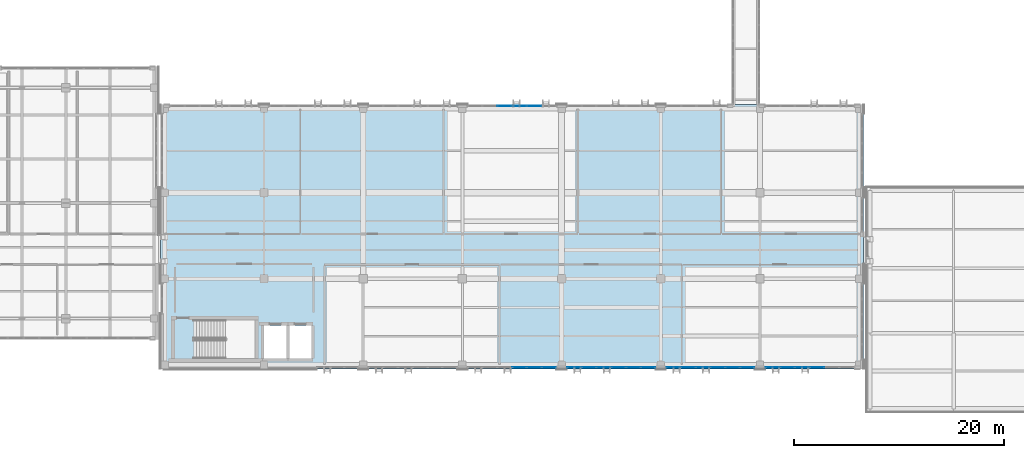
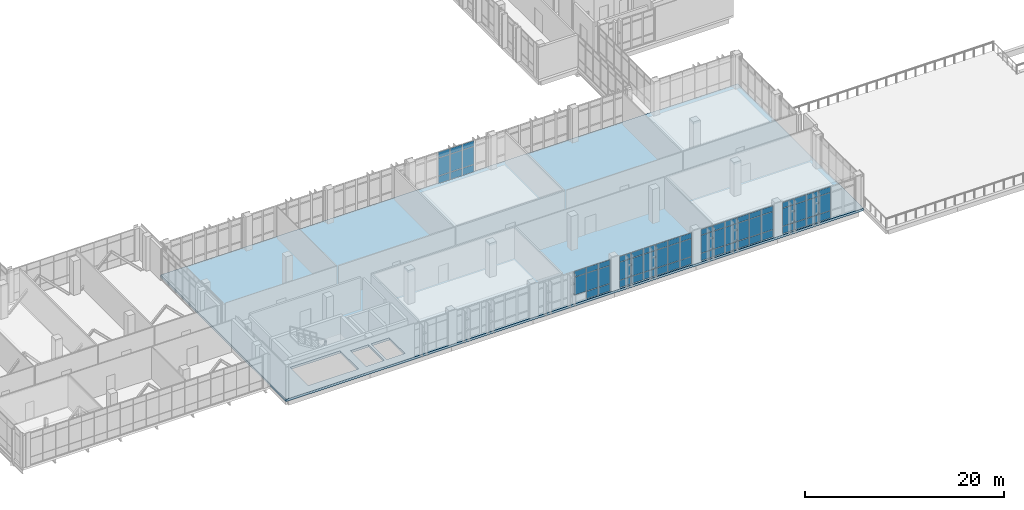
# One storey, part 118 of 165: 65 plates, 1 slab, 5 elements without a shape of their own.
"""IFC4 building model written with IfcOpenShell, lengths in metres."""

import ifcopenshell
import ifcopenshell.guid

model = None  # the IFC model being written
_history = None  # IfcOwnerHistory: only IFC2X3 demands one
_inside = {}  # id of a spatial element -> (the spatial element, [elements in it])
_under = {}  # id of a project, library or spatial element -> (it, [spatial elements below it])
_declared = {}  # id of a project -> (the project, [libraries it declares])
_typed = {}  # id of a type object -> (the type object, [elements of that type])
_made_of = {}  # id of a material, layer set ... -> (it, [elements and type objects made of it])


def new_model(schema):
    """Start an empty IFC model of exactly this schema.

    Asked for "IFC4X3", IfcOpenShell would pick the latest addendum, in which some entities
    have other attributes; the version numbers below select the first issue.
    IFC2X3 requires an IfcOwnerHistory on every rooted entity: one is made here for all.
    """
    global model, _history
    if schema == "IFC4X3":
        model = ifcopenshell.file(schema_version=(4, 3, 0, 0))
    else:
        model = ifcopenshell.file(schema=schema)
    _inside.clear()
    _under.clear()
    _declared.clear()
    _typed.clear()
    _made_of.clear()
    _history = None
    if model.schema == "IFC2X3":
        org = make("IfcOrganization", Name="unknown")
        user = make(
            "IfcPersonAndOrganization",
            ThePerson=make("IfcPerson", FamilyName="unknown"),
            TheOrganization=org,
        )
        app = make(
            "IfcApplication",
            ApplicationDeveloper=org,
            Version="unknown",
            ApplicationFullName="unknown",
            ApplicationIdentifier="unknown",
        )
        _history = make(
            "IfcOwnerHistory",
            OwningUser=user,
            OwningApplication=app,
            ChangeAction="ADDED",
            CreationDate=0,
        )
    return model


def make(cls, **values):
    """One entity of the class cls with the attributes given. An attribute that is None is left unset."""
    return model.create_entity(
        cls, **{name: value for name, value in values.items() if value is not None}
    )


def rooted(cls, **values):
    """An entity with a GlobalId (a new one), such as an element, a storey or a relation."""
    return make(cls, GlobalId=ifcopenshell.guid.new(), OwnerHistory=_history, **values)


def si_unit(unit_type, name, prefix=None):
    """IfcSIUnit, for example si_unit("LENGTHUNIT", "METRE", prefix="MILLI")."""
    return make("IfcSIUnit", UnitType=unit_type, Prefix=prefix, Name=name)


def assignment(units):
    """IfcUnitAssignment: the units of a project."""
    return None if units is None else make("IfcUnitAssignment", Units=units)


def point(xyz):
    """IfcCartesianPoint."""
    return None if xyz is None else make("IfcCartesianPoint", Coordinates=xyz)


def direction(xyz):
    """IfcDirection."""
    return None if xyz is None else make("IfcDirection", DirectionRatios=xyz)


def frame(location, z_axis=None, x_axis=None):
    """IfcAxis2Placement3D, a coordinate frame: its origin and axes. An axis left out is left unset."""
    return make(
        "IfcAxis2Placement3D",
        Location=point(location),
        Axis=direction(z_axis),
        RefDirection=direction(x_axis),
    )


def frame_2d(location, x_axis=None):
    """IfcAxis2Placement2D, a coordinate frame in the plane: its origin and x axis."""
    return make(
        "IfcAxis2Placement2D", Location=point(location), RefDirection=direction(x_axis)
    )


def origin():
    """The frame at (0, 0, 0) with its axes left unset."""
    return frame((0.0, 0.0, 0.0))


def origin_2d():
    """The frame at (0, 0) in the plane with its x axis left unset."""
    return frame_2d((0.0, 0.0))


def place(relative_to, where):
    """IfcLocalPlacement: puts the frame where relative to a parent placement (None: the world)."""
    return make(
        "IfcLocalPlacement", PlacementRelTo=relative_to, RelativePlacement=where
    )


def context(
    kind, dimensions, precision=None, world=None, true_north=None, identifier=None
):
    """IfcGeometricRepresentationContext, for example the 3D "Model" context."""
    return make(
        "IfcGeometricRepresentationContext",
        ContextIdentifier=identifier,
        ContextType=kind,
        CoordinateSpaceDimension=dimensions,
        Precision=precision,
        WorldCoordinateSystem=world,
        TrueNorth=true_north,
    )


def subcontext(parent, identifier, kind, view, scale=None):
    """IfcGeometricRepresentationSubContext, for example "Body" below "Model"."""
    return make(
        "IfcGeometricRepresentationSubContext",
        ContextIdentifier=identifier,
        ContextType=kind,
        ParentContext=parent,
        TargetScale=scale,
        TargetView=view,
    )


def project(units=None, contexts=None):
    """IfcProject with its units and contexts."""
    return rooted(
        "IfcProject",
        Name="project",
        RepresentationContexts=contexts,
        UnitsInContext=assignment(units),
    )


def spatial(cls, under=None, at=None, **own):
    """A site, building, storey or space (cls), placed at a placement, below another one or the project."""
    s = rooted(cls, ObjectPlacement=at, **own)
    if under is not None:
        _under.setdefault(under.id(), (under, []))[1].append(s)
    return s


def polyline(points):
    """IfcPolyline through the points."""
    return make("IfcPolyline", Points=[point(p) for p in points])


def profile(cls, at=None, kind="AREA", **sizes):
    """A parametric profile (cls). Its sizes go by their IFC names, for example OverallWidth=200.0."""
    return make(cls, ProfileType=kind, Position=at, **sizes)


def rectangle(**sizes):
    """IfcRectangleProfileDef."""
    return profile("IfcRectangleProfileDef", **sizes)


def outline(outer, holes=None, kind="AREA"):
    """IfcArbitraryClosedProfileDef: a profile drawn as a closed curve; with holes, ...WithVoids."""
    if holes is None:
        return make("IfcArbitraryClosedProfileDef", ProfileType=kind, OuterCurve=outer)
    return make(
        "IfcArbitraryProfileDefWithVoids",
        ProfileType=kind,
        OuterCurve=outer,
        InnerCurves=holes,
    )


def extrude(swept, where, along, depth):
    """IfcExtrudedAreaSolid: the profile swept, set in the frame where, extruded along a direction by depth."""
    return make(
        "IfcExtrudedAreaSolid",
        SweptArea=swept,
        Position=where,
        ExtrudedDirection=direction(along),
        Depth=depth,
    )


def shape(context_of_items, identifier, shape_type, items):
    """IfcShapeRepresentation: the items that make up one representation, for example the "Body"."""
    return make(
        "IfcShapeRepresentation",
        ContextOfItems=context_of_items,
        RepresentationIdentifier=identifier,
        RepresentationType=shape_type,
        Items=items,
    )


def material(Name=None, Category=None):
    """IfcMaterial."""
    return make("IfcMaterial", Name=Name, Category=Category)


def layer(
    of_material, thickness, ventilated=None, Name=None, Category=None, Priority=None
):
    """IfcMaterialLayer: one layer of a wall or slab, of a material (None: an air gap)."""
    return make(
        "IfcMaterialLayer",
        Material=of_material,
        LayerThickness=thickness,
        IsVentilated=ventilated,
        Name=Name,
        Category=Category,
        Priority=Priority,
    )


def layer_set(layers, Name=None):
    """IfcMaterialLayerSet."""
    return make("IfcMaterialLayerSet", MaterialLayers=layers, LayerSetName=Name)


def made_of(thing, what):
    """Note that an element or type object is made of a material, layer set ...; save() writes the relation."""
    if what is not None:
        _made_of.setdefault(what.id(), (what, []))[1].append(thing)
    return thing


def type_object(cls, material=None, **own):
    """A type object (cls), such as IfcWallType, which elements share."""
    return made_of(rooted(cls, **own), material)


def element(
    cls,
    number,
    at=None,
    inside=None,
    cuts=None,
    type_object=None,
    material=None,
    context=None,
    identifier="Body",
    shape_type=None,
    held_by="IfcProductDefinitionShape",
    body=None,
    shapes=None,
    **own,
):
    """One element of the class cls, such as IfcWall. Its Tag is "e" and its number.

    at: its placement. inside: the storey or other place that contains it. cuts: it is an
    opening in that element (IfcRelVoidsElement). A single representation is given by context,
    identifier, shape_type and body (its items); several are given by shapes. held_by: the class
    of the entity that holds the representations. save() writes the other relations.
    """
    e = rooted(cls, Tag="e%d" % number, ObjectPlacement=at, **own)
    if body is not None:
        shapes = [shape(context, identifier, shape_type, body)]
    if shapes is not None:
        e.Representation = make(held_by, Representations=shapes)
    if inside is not None:
        _inside.setdefault(inside.id(), (inside, []))[1].append(e)
    if cuts is not None:
        rooted(
            "IfcRelVoidsElement", RelatingBuildingElement=cuts, RelatedOpeningElement=e
        )
    if type_object is not None:
        _typed.setdefault(type_object.id(), (type_object, []))[1].append(e)
    return made_of(e, material)


def aggregate(whole, parts):
    """IfcRelAggregates: a whole, such as a stair, and the parts it consists of."""
    return rooted("IfcRelAggregates", RelatingObject=whole, RelatedObjects=parts)


def save(model, path):
    """Write the relations noted so far, then the file.

    IfcRelAggregates (storeys below a building ...), IfcRelContainedInSpatialStructure (elements
    in a storey), IfcRelDefinesByType, IfcRelAssociatesMaterial and IfcRelDeclares: one each for
    every whole, place, type object, material and project.
    """
    for whole, parts in _under.values():
        aggregate(whole, parts)
    for where, things in _inside.values():
        rooted(
            "IfcRelContainedInSpatialStructure",
            RelatedElements=things,
            RelatingStructure=where,
        )
    for kind, things in _typed.values():
        rooted("IfcRelDefinesByType", RelatedObjects=things, RelatingType=kind)
    for what, things in _made_of.values():
        rooted("IfcRelAssociatesMaterial", RelatedObjects=things, RelatingMaterial=what)
    for by, libraries in _declared.values():
        rooted("IfcRelDeclares", RelatingContext=by, RelatedDefinitions=libraries)
    model.write(path)


model = new_model("IFC4")

# Units and contexts
model_context = context("Model", 3, precision=1e-05, world=origin(), true_north=direction((0.0, 1.0)))
body_context = subcontext(model_context, "Body", "Model", "MODEL_VIEW")
ifc_project = project(units=[si_unit("LENGTHUNIT", "METRE"), si_unit("AREAUNIT", "SQUARE_METRE"), si_unit("VOLUMEUNIT", "CUBIC_METRE"), si_unit("PLANEANGLEUNIT", "RADIAN"), si_unit("MASSUNIT", "GRAM", prefix="KILO")], contexts=[model_context])

# Site, building, storey
site_placement = place(None, origin())
site = spatial("IfcSite", under=ifc_project, at=site_placement, CompositionType="ELEMENT")
building_placement = place(site_placement, origin())
building = spatial("IfcBuilding", under=site, at=building_placement, Name="Qalavern Law Courts", CompositionType="ELEMENT")
storey_placement = place(building_placement, frame((0.0, 0.0, 14.39990234375)))
storey = spatial("IfcBuildingStorey", under=building, at=storey_placement, Name="L03", CompositionType="ELEMENT", Elevation=14.39990234375)

# Curtain wall, plates
ifc_material_1 = material(Name="Anodised aluminium and insulated glazing", Category="aluminium")
ifc_layer_1 = layer(ifc_material_1, 0.18505859375)
ifc_layer_set_1 = layer_set([ifc_layer_1], Name="Anodised aluminium and insulated glazing")
curtain_wall_type = type_object("IfcCurtainWallType", Name="ENV-CW-HALL", PredefinedType="USERDEFINED", material=ifc_layer_set_1)
curtain_wall_1_placement = place(storey_placement, origin())
curtain_wall_1 = element("IfcCurtainWall", 1, at=curtain_wall_1_placement, inside=storey, type_object=curtain_wall_type, Name="V2 unitised curtain wall L03 south 3", ObjectType="UNITISED CURTAIN WALL", PredefinedType="USERDEFINED")
ifc_material_2 = material(Name="Insulated low-E acoustic glazing", Category="glass")
ifc_layer_2 = layer(ifc_material_2, 0.028076171875)
ifc_layer_set_2 = layer_set([ifc_layer_2], Name="Insulated low-E acoustic glazing")
plate_type_1 = type_object("IfcPlateType", Name="ENV-CWP-28", PredefinedType="CURTAIN_PANEL", material=ifc_layer_set_2)
plate_1_placement = place(storey_placement, frame((68.41455078125, 5.347412109375, 0.97412109375), z_axis=(0.0, 0.0, 1.0), x_axis=(1.0, 0.0, 0.0)))
plate_1 = element("IfcPlate", 2, at=plate_1_placement, type_object=plate_type_1, Name="CW-02 panel 4.2", PredefinedType="CURTAIN_PANEL", context=body_context, shape_type="SweptSolid", body=[
    extrude(rectangle(XDim=1.361083984375, YDim=0.028076171875, at=origin_2d()), origin(), (0.0, 0.0, 1.0), 2.172119140625),
])
plate_2_placement = place(storey_placement, frame((68.41455078125, 5.347412109375, 3.1943359375), z_axis=(0.0, 0.0, 1.0), x_axis=(1.0, 0.0, 0.0)))
plate_2 = element("IfcPlate", 3, at=plate_2_placement, type_object=plate_type_1, Name="CW-02 panel 4.3", PredefinedType="CURTAIN_PANEL", context=body_context, shape_type="SweptSolid", body=[
    extrude(rectangle(XDim=1.361083984375, YDim=0.028076171875, at=origin_2d()), origin(), (0.0, 0.0, 1.0), 0.677978515625),
])
plate_3_placement = place(storey_placement, frame((69.823486328125, 5.347412109375, 0.048095703125), z_axis=(0.0, 0.0, 1.0), x_axis=(1.0, 0.0, 0.0)))
plate_3 = element("IfcPlate", 4, at=plate_3_placement, type_object=plate_type_1, Name="CW-02 panel 5.1", PredefinedType="CURTAIN_PANEL", context=body_context, shape_type="SweptSolid", body=[
    extrude(rectangle(XDim=1.361083984375, YDim=0.028076171875, at=origin_2d()), origin(), (0.0, 0.0, 1.0), 0.8779296875),
])
plate_4_placement = place(storey_placement, frame((69.823486328125, 5.347412109375, 0.97412109375), z_axis=(0.0, 0.0, 1.0), x_axis=(1.0, 0.0, 0.0)))
plate_4 = element("IfcPlate", 5, at=plate_4_placement, type_object=plate_type_1, Name="CW-02 panel 5.2", PredefinedType="CURTAIN_PANEL", context=body_context, shape_type="SweptSolid", body=[
    extrude(rectangle(XDim=1.361083984375, YDim=0.028076171875, at=origin_2d()), origin(), (0.0, 0.0, 1.0), 2.172119140625),
])
plate_5_placement = place(storey_placement, frame((69.823486328125, 5.347412109375, 3.1943359375), z_axis=(0.0, 0.0, 1.0), x_axis=(1.0, 0.0, 0.0)))
plate_5 = element("IfcPlate", 6, at=plate_5_placement, type_object=plate_type_1, Name="CW-02 panel 5.3", PredefinedType="CURTAIN_PANEL", context=body_context, shape_type="SweptSolid", body=[
    extrude(rectangle(XDim=1.361083984375, YDim=0.028076171875, at=origin_2d()), origin(), (0.0, 0.0, 1.0), 0.677978515625),
])
plate_6_placement = place(storey_placement, frame((71.220703125, 5.347412109375, 0.048095703125), z_axis=(0.0, 0.0, 1.0), x_axis=(1.0, 0.0, 0.0)))
plate_6 = element("IfcPlate", 7, at=plate_6_placement, type_object=plate_type_1, Name="CW-02 panel 6.1", PredefinedType="CURTAIN_PANEL", context=body_context, shape_type="SweptSolid", body=[
    extrude(rectangle(XDim=1.3369140625, YDim=0.028076171875, at=origin_2d()), origin(), (0.0, 0.0, 1.0), 0.8779296875),
])
plate_7_placement = place(storey_placement, frame((71.220703125, 5.347412109375, 0.97412109375), z_axis=(0.0, 0.0, 1.0), x_axis=(1.0, 0.0, 0.0)))
plate_7 = element("IfcPlate", 8, at=plate_7_placement, type_object=plate_type_1, Name="CW-02 panel 6.2", PredefinedType="CURTAIN_PANEL", context=body_context, shape_type="SweptSolid", body=[
    extrude(rectangle(XDim=1.3369140625, YDim=0.028076171875, at=origin_2d()), origin(), (0.0, 0.0, 1.0), 2.172119140625),
])
plate_8_placement = place(storey_placement, frame((71.220703125, 5.347412109375, 3.1943359375), z_axis=(0.0, 0.0, 1.0), x_axis=(1.0, 0.0, 0.0)))
plate_8 = element("IfcPlate", 9, at=plate_8_placement, type_object=plate_type_1, Name="CW-02 panel 6.3", PredefinedType="CURTAIN_PANEL", context=body_context, shape_type="SweptSolid", body=[
    extrude(rectangle(XDim=1.3369140625, YDim=0.028076171875, at=origin_2d()), origin(), (0.0, 0.0, 1.0), 0.677978515625),
])
aggregate(curtain_wall_1, [plate_1, plate_2, plate_3, plate_4, plate_5, plate_6, plate_7, plate_8])

curtain_wall_2_placement = place(storey_placement, origin())
curtain_wall_2 = element("IfcCurtainWall", 10, at=curtain_wall_2_placement, inside=storey, type_object=curtain_wall_type, Name="V2 unitised curtain wall L03 south 4", ObjectType="UNITISED CURTAIN WALL", PredefinedType="USERDEFINED")
ifc_layer_3 = layer(ifc_material_2, 0.031982421875)
ifc_layer_set_3 = layer_set([ifc_layer_3], Name="Insulated low-E acoustic glazing")
plate_type_2 = type_object("IfcPlateType", Name="ENV-CWP-32", PredefinedType="CURTAIN_PANEL", material=ifc_layer_set_3)
plate_9_placement = place(storey_placement, frame((73.653564453125, 5.347412109375, 0.048095703125), z_axis=(0.0, 0.0, 1.0), x_axis=(1.0, 0.0, 0.0)))
plate_9 = element("IfcPlate", 11, at=plate_9_placement, type_object=plate_type_2, Name="CW-02 panel 1.1", PredefinedType="CURTAIN_PANEL", context=body_context, shape_type="SweptSolid", body=[
    extrude(rectangle(XDim=1.337158203125, YDim=0.031982421875, at=origin_2d()), origin(), (0.0, 0.0, 1.0), 0.8779296875),
])
plate_10_placement = place(storey_placement, frame((73.653564453125, 5.347412109375, 0.97412109375), z_axis=(0.0, 0.0, 1.0), x_axis=(1.0, 0.0, 0.0)))
plate_10 = element("IfcPlate", 12, at=plate_10_placement, type_object=plate_type_2, Name="CW-02 panel 1.2", PredefinedType="CURTAIN_PANEL", context=body_context, shape_type="SweptSolid", body=[
    extrude(rectangle(XDim=1.337158203125, YDim=0.031982421875, at=origin_2d()), origin(), (0.0, 0.0, 1.0), 2.172119140625),
])
plate_11_placement = place(storey_placement, frame((73.653564453125, 5.347412109375, 3.1943359375), z_axis=(0.0, 0.0, 1.0), x_axis=(1.0, 0.0, 0.0)))
plate_11 = element("IfcPlate", 13, at=plate_11_placement, type_object=plate_type_2, Name="CW-02 panel 1.3", PredefinedType="CURTAIN_PANEL", context=body_context, shape_type="SweptSolid", body=[
    extrude(rectangle(XDim=1.337158203125, YDim=0.031982421875, at=origin_2d()), origin(), (0.0, 0.0, 1.0), 0.677978515625),
])
plate_12_placement = place(storey_placement, frame((75.05078125, 5.347412109375, 0.048095703125), z_axis=(0.0, 0.0, 1.0), x_axis=(1.0, 0.0, 0.0)))
plate_12 = element("IfcPlate", 14, at=plate_12_placement, type_object=plate_type_2, Name="CW-02 panel 2.1", PredefinedType="CURTAIN_PANEL", context=body_context, shape_type="SweptSolid", body=[
    extrude(rectangle(XDim=1.361083984375, YDim=0.031982421875, at=origin_2d()), origin(), (0.0, 0.0, 1.0), 0.8779296875),
])
plate_13_placement = place(storey_placement, frame((75.05078125, 5.347412109375, 0.97412109375), z_axis=(0.0, 0.0, 1.0), x_axis=(1.0, 0.0, 0.0)))
plate_13 = element("IfcPlate", 15, at=plate_13_placement, type_object=plate_type_2, Name="CW-02 panel 2.2", PredefinedType="CURTAIN_PANEL", context=body_context, shape_type="SweptSolid", body=[
    extrude(rectangle(XDim=1.361083984375, YDim=0.031982421875, at=origin_2d()), origin(), (0.0, 0.0, 1.0), 2.172119140625),
])
plate_14_placement = place(storey_placement, frame((75.05078125, 5.347412109375, 3.1943359375), z_axis=(0.0, 0.0, 1.0), x_axis=(1.0, 0.0, 0.0)))
plate_14 = element("IfcPlate", 16, at=plate_14_placement, type_object=plate_type_2, Name="CW-02 panel 2.3", PredefinedType="CURTAIN_PANEL", context=body_context, shape_type="SweptSolid", body=[
    extrude(rectangle(XDim=1.361083984375, YDim=0.031982421875, at=origin_2d()), origin(), (0.0, 0.0, 1.0), 0.677978515625),
])
plate_15_placement = place(storey_placement, frame((76.459716796875, 5.347412109375, 0.048095703125), z_axis=(0.0, 0.0, 1.0), x_axis=(1.0, 0.0, 0.0)))
plate_15 = element("IfcPlate", 17, at=plate_15_placement, type_object=plate_type_2, Name="CW-02 panel 3.1", PredefinedType="CURTAIN_PANEL", context=body_context, shape_type="SweptSolid", body=[
    extrude(rectangle(XDim=1.361083984375, YDim=0.031982421875, at=origin_2d()), origin(), (0.0, 0.0, 1.0), 0.8779296875),
])
plate_16_placement = place(storey_placement, frame((76.459716796875, 5.347412109375, 0.97412109375), z_axis=(0.0, 0.0, 1.0), x_axis=(1.0, 0.0, 0.0)))
plate_16 = element("IfcPlate", 18, at=plate_16_placement, type_object=plate_type_2, Name="CW-02 panel 3.2", PredefinedType="CURTAIN_PANEL", context=body_context, shape_type="SweptSolid", body=[
    extrude(rectangle(XDim=1.361083984375, YDim=0.031982421875, at=origin_2d()), origin(), (0.0, 0.0, 1.0), 2.172119140625),
])
plate_17_placement = place(storey_placement, frame((76.459716796875, 5.347412109375, 3.1943359375), z_axis=(0.0, 0.0, 1.0), x_axis=(1.0, 0.0, 0.0)))
plate_17 = element("IfcPlate", 19, at=plate_17_placement, type_object=plate_type_2, Name="CW-02 panel 3.3", PredefinedType="CURTAIN_PANEL", context=body_context, shape_type="SweptSolid", body=[
    extrude(rectangle(XDim=1.361083984375, YDim=0.031982421875, at=origin_2d()), origin(), (0.0, 0.0, 1.0), 0.677978515625),
])
plate_18_placement = place(storey_placement, frame((77.868896484375, 5.347412109375, 0.048095703125), z_axis=(0.0, 0.0, 1.0), x_axis=(1.0, 0.0, 0.0)))
plate_18 = element("IfcPlate", 20, at=plate_18_placement, type_object=plate_type_2, Name="CW-02 panel 4.1", PredefinedType="CURTAIN_PANEL", context=body_context, shape_type="SweptSolid", body=[
    extrude(rectangle(XDim=1.361083984375, YDim=0.031982421875, at=origin_2d()), origin(), (0.0, 0.0, 1.0), 0.8779296875),
])
plate_19_placement = place(storey_placement, frame((77.868896484375, 5.347412109375, 0.97412109375), z_axis=(0.0, 0.0, 1.0), x_axis=(1.0, 0.0, 0.0)))
plate_19 = element("IfcPlate", 21, at=plate_19_placement, type_object=plate_type_2, Name="CW-02 panel 4.2", PredefinedType="CURTAIN_PANEL", context=body_context, shape_type="SweptSolid", body=[
    extrude(rectangle(XDim=1.361083984375, YDim=0.031982421875, at=origin_2d()), origin(), (0.0, 0.0, 1.0), 2.172119140625),
])
plate_20_placement = place(storey_placement, frame((77.868896484375, 5.347412109375, 3.1943359375), z_axis=(0.0, 0.0, 1.0), x_axis=(1.0, 0.0, 0.0)))
plate_20 = element("IfcPlate", 22, at=plate_20_placement, type_object=plate_type_2, Name="CW-02 panel 4.3", PredefinedType="CURTAIN_PANEL", context=body_context, shape_type="SweptSolid", body=[
    extrude(rectangle(XDim=1.361083984375, YDim=0.031982421875, at=origin_2d()), origin(), (0.0, 0.0, 1.0), 0.677978515625),
])
plate_21_placement = place(storey_placement, frame((79.27783203125, 5.347412109375, 0.048095703125), z_axis=(0.0, 0.0, 1.0), x_axis=(1.0, 0.0, 0.0)))
plate_21 = element("IfcPlate", 23, at=plate_21_placement, type_object=plate_type_2, Name="CW-02 panel 5.1", PredefinedType="CURTAIN_PANEL", context=body_context, shape_type="SweptSolid", body=[
    extrude(rectangle(XDim=1.361083984375, YDim=0.031982421875, at=origin_2d()), origin(), (0.0, 0.0, 1.0), 0.8779296875),
])
plate_22_placement = place(storey_placement, frame((79.27783203125, 5.347412109375, 0.97412109375), z_axis=(0.0, 0.0, 1.0), x_axis=(1.0, 0.0, 0.0)))
plate_22 = element("IfcPlate", 24, at=plate_22_placement, type_object=plate_type_2, Name="CW-02 panel 5.2", PredefinedType="CURTAIN_PANEL", context=body_context, shape_type="SweptSolid", body=[
    extrude(rectangle(XDim=1.361083984375, YDim=0.031982421875, at=origin_2d()), origin(), (0.0, 0.0, 1.0), 2.172119140625),
])
plate_23_placement = place(storey_placement, frame((79.27783203125, 5.347412109375, 3.1943359375), z_axis=(0.0, 0.0, 1.0), x_axis=(1.0, 0.0, 0.0)))
plate_23 = element("IfcPlate", 25, at=plate_23_placement, type_object=plate_type_2, Name="CW-02 panel 5.3", PredefinedType="CURTAIN_PANEL", context=body_context, shape_type="SweptSolid", body=[
    extrude(rectangle(XDim=1.361083984375, YDim=0.031982421875, at=origin_2d()), origin(), (0.0, 0.0, 1.0), 0.677978515625),
])
plate_24_placement = place(storey_placement, frame((80.6748046875, 5.347412109375, 0.048095703125), z_axis=(0.0, 0.0, 1.0), x_axis=(1.0, 0.0, 0.0)))
plate_24 = element("IfcPlate", 26, at=plate_24_placement, type_object=plate_type_2, Name="CW-02 panel 6.1", PredefinedType="CURTAIN_PANEL", context=body_context, shape_type="SweptSolid", body=[
    extrude(rectangle(XDim=1.337158203125, YDim=0.031982421875, at=origin_2d()), origin(), (0.0, 0.0, 1.0), 0.8779296875),
])
plate_25_placement = place(storey_placement, frame((80.6748046875, 5.347412109375, 0.97412109375), z_axis=(0.0, 0.0, 1.0), x_axis=(1.0, 0.0, 0.0)))
plate_25 = element("IfcPlate", 27, at=plate_25_placement, type_object=plate_type_2, Name="CW-02 panel 6.2", PredefinedType="CURTAIN_PANEL", context=body_context, shape_type="SweptSolid", body=[
    extrude(rectangle(XDim=1.337158203125, YDim=0.031982421875, at=origin_2d()), origin(), (0.0, 0.0, 1.0), 2.172119140625),
])
plate_26_placement = place(storey_placement, frame((80.6748046875, 5.347412109375, 3.1943359375), z_axis=(0.0, 0.0, 1.0), x_axis=(1.0, 0.0, 0.0)))
plate_26 = element("IfcPlate", 28, at=plate_26_placement, type_object=plate_type_2, Name="CW-02 panel 6.3", PredefinedType="CURTAIN_PANEL", context=body_context, shape_type="SweptSolid", body=[
    extrude(rectangle(XDim=1.337158203125, YDim=0.031982421875, at=origin_2d()), origin(), (0.0, 0.0, 1.0), 0.677978515625),
])
aggregate(curtain_wall_2, [plate_9, plate_10, plate_11, plate_12, plate_13, plate_14, plate_15, plate_16, plate_17, plate_18, plate_19, plate_20, plate_21, plate_22, plate_23, plate_24, plate_25, plate_26])

curtain_wall_3_placement = place(storey_placement, origin())
curtain_wall_3 = element("IfcCurtainWall", 29, at=curtain_wall_3_placement, inside=storey, type_object=curtain_wall_type, Name="V2 unitised curtain wall L03 north 3", ObjectType="UNITISED CURTAIN WALL", PredefinedType="USERDEFINED")
plate_27_placement = place(storey_placement, frame((69.823486328125, 30.25244140625, 0.048095703125), z_axis=(0.0, 0.0, 1.0), x_axis=(-1.0, 0.0, 0.0)))
plate_27 = element("IfcPlate", 30, at=plate_27_placement, type_object=plate_type_2, Name="CW-02 panel 2.1", PredefinedType="CURTAIN_PANEL", context=body_context, shape_type="SweptSolid", body=[
    extrude(rectangle(XDim=1.361083984375, YDim=0.031982421875, at=origin_2d()), origin(), (0.0, 0.0, 1.0), 0.8779296875),
])
plate_28_placement = place(storey_placement, frame((69.823486328125, 30.25244140625, 0.97412109375), z_axis=(0.0, 0.0, 1.0), x_axis=(-1.0, 0.0, 0.0)))
plate_28 = element("IfcPlate", 31, at=plate_28_placement, type_object=plate_type_2, Name="CW-02 panel 2.2", PredefinedType="CURTAIN_PANEL", context=body_context, shape_type="SweptSolid", body=[
    extrude(rectangle(XDim=1.361083984375, YDim=0.031982421875, at=origin_2d()), origin(), (0.0, 0.0, 1.0), 2.172119140625),
])
plate_29_placement = place(storey_placement, frame((69.823486328125, 30.25244140625, 3.1943359375), z_axis=(0.0, 0.0, 1.0), x_axis=(-1.0, 0.0, 0.0)))
plate_29 = element("IfcPlate", 32, at=plate_29_placement, type_object=plate_type_2, Name="CW-02 panel 2.3", PredefinedType="CURTAIN_PANEL", context=body_context, shape_type="SweptSolid", body=[
    extrude(rectangle(XDim=1.361083984375, YDim=0.031982421875, at=origin_2d()), origin(), (0.0, 0.0, 1.0), 0.677978515625),
])
plate_30_placement = place(storey_placement, frame((68.41455078125, 30.25244140625, 0.048095703125), z_axis=(0.0, 0.0, 1.0), x_axis=(-1.0, 0.0, 0.0)))
plate_30 = element("IfcPlate", 33, at=plate_30_placement, type_object=plate_type_2, Name="CW-02 panel 3.1", PredefinedType="CURTAIN_PANEL", context=body_context, shape_type="SweptSolid", body=[
    extrude(rectangle(XDim=1.361083984375, YDim=0.031982421875, at=origin_2d()), origin(), (0.0, 0.0, 1.0), 0.8779296875),
])
plate_31_placement = place(storey_placement, frame((68.41455078125, 30.25244140625, 0.97412109375), z_axis=(0.0, 0.0, 1.0), x_axis=(-1.0, 0.0, 0.0)))
plate_31 = element("IfcPlate", 34, at=plate_31_placement, type_object=plate_type_2, Name="CW-02 panel 3.2", PredefinedType="CURTAIN_PANEL", context=body_context, shape_type="SweptSolid", body=[
    extrude(rectangle(XDim=1.361083984375, YDim=0.031982421875, at=origin_2d()), origin(), (0.0, 0.0, 1.0), 2.172119140625),
])
plate_32_placement = place(storey_placement, frame((68.41455078125, 30.25244140625, 3.1943359375), z_axis=(0.0, 0.0, 1.0), x_axis=(-1.0, 0.0, 0.0)))
plate_32 = element("IfcPlate", 35, at=plate_32_placement, type_object=plate_type_2, Name="CW-02 panel 3.3", PredefinedType="CURTAIN_PANEL", context=body_context, shape_type="SweptSolid", body=[
    extrude(rectangle(XDim=1.361083984375, YDim=0.031982421875, at=origin_2d()), origin(), (0.0, 0.0, 1.0), 0.677978515625),
])
plate_33_placement = place(storey_placement, frame((67.00537109375, 30.25244140625, 0.048095703125), z_axis=(0.0, 0.0, 1.0), x_axis=(-1.0, 0.0, 0.0)))
plate_33 = element("IfcPlate", 36, at=plate_33_placement, type_object=plate_type_2, Name="CW-02 panel 4.1", PredefinedType="CURTAIN_PANEL", context=body_context, shape_type="SweptSolid", body=[
    extrude(rectangle(XDim=1.361083984375, YDim=0.031982421875, at=origin_2d()), origin(), (0.0, 0.0, 1.0), 0.8779296875),
])
plate_34_placement = place(storey_placement, frame((67.00537109375, 30.25244140625, 0.97412109375), z_axis=(0.0, 0.0, 1.0), x_axis=(-1.0, 0.0, 0.0)))
plate_34 = element("IfcPlate", 37, at=plate_34_placement, type_object=plate_type_2, Name="CW-02 panel 4.2", PredefinedType="CURTAIN_PANEL", context=body_context, shape_type="SweptSolid", body=[
    extrude(rectangle(XDim=1.361083984375, YDim=0.031982421875, at=origin_2d()), origin(), (0.0, 0.0, 1.0), 2.172119140625),
])
plate_35_placement = place(storey_placement, frame((67.00537109375, 30.25244140625, 3.1943359375), z_axis=(0.0, 0.0, 1.0), x_axis=(-1.0, 0.0, 0.0)))
plate_35 = element("IfcPlate", 38, at=plate_35_placement, type_object=plate_type_2, Name="CW-02 panel 4.3", PredefinedType="CURTAIN_PANEL", context=body_context, shape_type="SweptSolid", body=[
    extrude(rectangle(XDim=1.361083984375, YDim=0.031982421875, at=origin_2d()), origin(), (0.0, 0.0, 1.0), 0.677978515625),
])
aggregate(curtain_wall_3, [plate_27, plate_28, plate_29, plate_30, plate_31, plate_32, plate_33, plate_34, plate_35])

curtain_wall_4_placement = place(storey_placement, origin())
curtain_wall_4 = element("IfcCurtainWall", 39, at=curtain_wall_4_placement, inside=storey, type_object=curtain_wall_type, Name="V2 unitised curtain wall L03 south 5", ObjectType="UNITISED CURTAIN WALL", PredefinedType="USERDEFINED")
ifc_layer_4 = layer(ifc_material_2, 0.035888671875)
ifc_layer_set_4 = layer_set([ifc_layer_4], Name="Insulated low-E acoustic glazing")
plate_type_3 = type_object("IfcPlateType", Name="ENV-CWP-36", PredefinedType="CURTAIN_PANEL", material=ifc_layer_set_4)
plate_36_placement = place(storey_placement, frame((83.10791015625, 5.347412109375, 0.048095703125), z_axis=(0.0, 0.0, 1.0), x_axis=(1.0, 0.0, 0.0)))
plate_36 = element("IfcPlate", 40, at=plate_36_placement, type_object=plate_type_3, Name="CW-02 panel 1.1", PredefinedType="CURTAIN_PANEL", context=body_context, shape_type="SweptSolid", body=[
    extrude(rectangle(XDim=1.337158203125, YDim=0.035888671875, at=origin_2d()), origin(), (0.0, 0.0, 1.0), 0.8779296875),
])
plate_37_placement = place(storey_placement, frame((83.10791015625, 5.347412109375, 0.97412109375), z_axis=(0.0, 0.0, 1.0), x_axis=(1.0, 0.0, 0.0)))
plate_37 = element("IfcPlate", 41, at=plate_37_placement, type_object=plate_type_3, Name="CW-02 panel 1.2", PredefinedType="CURTAIN_PANEL", context=body_context, shape_type="SweptSolid", body=[
    extrude(rectangle(XDim=1.337158203125, YDim=0.035888671875, at=origin_2d()), origin(), (0.0, 0.0, 1.0), 2.172119140625),
])
plate_38_placement = place(storey_placement, frame((83.10791015625, 5.347412109375, 3.1943359375), z_axis=(0.0, 0.0, 1.0), x_axis=(1.0, 0.0, 0.0)))
plate_38 = element("IfcPlate", 42, at=plate_38_placement, type_object=plate_type_3, Name="CW-02 panel 1.3", PredefinedType="CURTAIN_PANEL", context=body_context, shape_type="SweptSolid", body=[
    extrude(rectangle(XDim=1.337158203125, YDim=0.035888671875, at=origin_2d()), origin(), (0.0, 0.0, 1.0), 0.677978515625),
])
plate_39_placement = place(storey_placement, frame((84.5048828125, 5.347412109375, 0.048095703125), z_axis=(0.0, 0.0, 1.0), x_axis=(1.0, 0.0, 0.0)))
plate_39 = element("IfcPlate", 43, at=plate_39_placement, type_object=plate_type_3, Name="CW-02 panel 2.1", PredefinedType="CURTAIN_PANEL", context=body_context, shape_type="SweptSolid", body=[
    extrude(rectangle(XDim=1.361083984375, YDim=0.035888671875, at=origin_2d()), origin(), (0.0, 0.0, 1.0), 0.8779296875),
])
plate_40_placement = place(storey_placement, frame((84.5048828125, 5.347412109375, 0.97412109375), z_axis=(0.0, 0.0, 1.0), x_axis=(1.0, 0.0, 0.0)))
plate_40 = element("IfcPlate", 44, at=plate_40_placement, type_object=plate_type_3, Name="CW-02 panel 2.2", PredefinedType="CURTAIN_PANEL", context=body_context, shape_type="SweptSolid", body=[
    extrude(rectangle(XDim=1.361083984375, YDim=0.035888671875, at=origin_2d()), origin(), (0.0, 0.0, 1.0), 2.172119140625),
])
plate_41_placement = place(storey_placement, frame((84.5048828125, 5.347412109375, 3.1943359375), z_axis=(0.0, 0.0, 1.0), x_axis=(1.0, 0.0, 0.0)))
plate_41 = element("IfcPlate", 45, at=plate_41_placement, type_object=plate_type_3, Name="CW-02 panel 2.3", PredefinedType="CURTAIN_PANEL", context=body_context, shape_type="SweptSolid", body=[
    extrude(rectangle(XDim=1.361083984375, YDim=0.035888671875, at=origin_2d()), origin(), (0.0, 0.0, 1.0), 0.677978515625),
])
plate_42_placement = place(storey_placement, frame((85.9140625, 5.347412109375, 0.048095703125), z_axis=(0.0, 0.0, 1.0), x_axis=(1.0, 0.0, 0.0)))
plate_42 = element("IfcPlate", 46, at=plate_42_placement, type_object=plate_type_3, Name="CW-02 panel 3.1", PredefinedType="CURTAIN_PANEL", context=body_context, shape_type="SweptSolid", body=[
    extrude(rectangle(XDim=1.361083984375, YDim=0.035888671875, at=origin_2d()), origin(), (0.0, 0.0, 1.0), 0.8779296875),
])
plate_43_placement = place(storey_placement, frame((85.9140625, 5.347412109375, 0.97412109375), z_axis=(0.0, 0.0, 1.0), x_axis=(1.0, 0.0, 0.0)))
plate_43 = element("IfcPlate", 47, at=plate_43_placement, type_object=plate_type_3, Name="CW-02 panel 3.2", PredefinedType="CURTAIN_PANEL", context=body_context, shape_type="SweptSolid", body=[
    extrude(rectangle(XDim=1.361083984375, YDim=0.035888671875, at=origin_2d()), origin(), (0.0, 0.0, 1.0), 2.172119140625),
])
plate_44_placement = place(storey_placement, frame((85.9140625, 5.347412109375, 3.1943359375), z_axis=(0.0, 0.0, 1.0), x_axis=(1.0, 0.0, 0.0)))
plate_44 = element("IfcPlate", 48, at=plate_44_placement, type_object=plate_type_3, Name="CW-02 panel 3.3", PredefinedType="CURTAIN_PANEL", context=body_context, shape_type="SweptSolid", body=[
    extrude(rectangle(XDim=1.361083984375, YDim=0.035888671875, at=origin_2d()), origin(), (0.0, 0.0, 1.0), 0.677978515625),
])
plate_45_placement = place(storey_placement, frame((87.322998046875, 5.347412109375, 0.048095703125), z_axis=(0.0, 0.0, 1.0), x_axis=(1.0, 0.0, 0.0)))
plate_45 = element("IfcPlate", 49, at=plate_45_placement, type_object=plate_type_3, Name="CW-02 panel 4.1", PredefinedType="CURTAIN_PANEL", context=body_context, shape_type="SweptSolid", body=[
    extrude(rectangle(XDim=1.361083984375, YDim=0.035888671875, at=origin_2d()), origin(), (0.0, 0.0, 1.0), 0.8779296875),
])
plate_46_placement = place(storey_placement, frame((87.322998046875, 5.347412109375, 0.97412109375), z_axis=(0.0, 0.0, 1.0), x_axis=(1.0, 0.0, 0.0)))
plate_46 = element("IfcPlate", 50, at=plate_46_placement, type_object=plate_type_3, Name="CW-02 panel 4.2", PredefinedType="CURTAIN_PANEL", context=body_context, shape_type="SweptSolid", body=[
    extrude(rectangle(XDim=1.361083984375, YDim=0.035888671875, at=origin_2d()), origin(), (0.0, 0.0, 1.0), 2.172119140625),
])
plate_47_placement = place(storey_placement, frame((87.322998046875, 5.347412109375, 3.1943359375), z_axis=(0.0, 0.0, 1.0), x_axis=(1.0, 0.0, 0.0)))
plate_47 = element("IfcPlate", 51, at=plate_47_placement, type_object=plate_type_3, Name="CW-02 panel 4.3", PredefinedType="CURTAIN_PANEL", context=body_context, shape_type="SweptSolid", body=[
    extrude(rectangle(XDim=1.361083984375, YDim=0.035888671875, at=origin_2d()), origin(), (0.0, 0.0, 1.0), 0.677978515625),
])
plate_48_placement = place(storey_placement, frame((88.732177734375, 5.347412109375, 0.048095703125), z_axis=(0.0, 0.0, 1.0), x_axis=(1.0, 0.0, 0.0)))
plate_48 = element("IfcPlate", 52, at=plate_48_placement, type_object=plate_type_3, Name="CW-02 panel 5.1", PredefinedType="CURTAIN_PANEL", context=body_context, shape_type="SweptSolid", body=[
    extrude(rectangle(XDim=1.361083984375, YDim=0.035888671875, at=origin_2d()), origin(), (0.0, 0.0, 1.0), 0.8779296875),
])
plate_49_placement = place(storey_placement, frame((88.732177734375, 5.347412109375, 0.97412109375), z_axis=(0.0, 0.0, 1.0), x_axis=(1.0, 0.0, 0.0)))
plate_49 = element("IfcPlate", 53, at=plate_49_placement, type_object=plate_type_3, Name="CW-02 panel 5.2", PredefinedType="CURTAIN_PANEL", context=body_context, shape_type="SweptSolid", body=[
    extrude(rectangle(XDim=1.361083984375, YDim=0.035888671875, at=origin_2d()), origin(), (0.0, 0.0, 1.0), 2.172119140625),
])
plate_50_placement = place(storey_placement, frame((88.732177734375, 5.347412109375, 3.1943359375), z_axis=(0.0, 0.0, 1.0), x_axis=(1.0, 0.0, 0.0)))
plate_50 = element("IfcPlate", 54, at=plate_50_placement, type_object=plate_type_3, Name="CW-02 panel 5.3", PredefinedType="CURTAIN_PANEL", context=body_context, shape_type="SweptSolid", body=[
    extrude(rectangle(XDim=1.361083984375, YDim=0.035888671875, at=origin_2d()), origin(), (0.0, 0.0, 1.0), 0.677978515625),
])
plate_51_placement = place(storey_placement, frame((90.129150390625, 5.347412109375, 0.048095703125), z_axis=(0.0, 0.0, 1.0), x_axis=(1.0, 0.0, 0.0)))
plate_51 = element("IfcPlate", 55, at=plate_51_placement, type_object=plate_type_3, Name="CW-02 panel 6.1", PredefinedType="CURTAIN_PANEL", context=body_context, shape_type="SweptSolid", body=[
    extrude(rectangle(XDim=1.337158203125, YDim=0.035888671875, at=origin_2d()), origin(), (0.0, 0.0, 1.0), 0.8779296875),
])
plate_52_placement = place(storey_placement, frame((90.129150390625, 5.347412109375, 0.97412109375), z_axis=(0.0, 0.0, 1.0), x_axis=(1.0, 0.0, 0.0)))
plate_52 = element("IfcPlate", 56, at=plate_52_placement, type_object=plate_type_3, Name="CW-02 panel 6.2", PredefinedType="CURTAIN_PANEL", context=body_context, shape_type="SweptSolid", body=[
    extrude(rectangle(XDim=1.337158203125, YDim=0.035888671875, at=origin_2d()), origin(), (0.0, 0.0, 1.0), 2.172119140625),
])
plate_53_placement = place(storey_placement, frame((90.129150390625, 5.347412109375, 3.1943359375), z_axis=(0.0, 0.0, 1.0), x_axis=(1.0, 0.0, 0.0)))
plate_53 = element("IfcPlate", 57, at=plate_53_placement, type_object=plate_type_3, Name="CW-02 panel 6.3", PredefinedType="CURTAIN_PANEL", context=body_context, shape_type="SweptSolid", body=[
    extrude(rectangle(XDim=1.337158203125, YDim=0.035888671875, at=origin_2d()), origin(), (0.0, 0.0, 1.0), 0.677978515625),
])
aggregate(curtain_wall_4, [plate_36, plate_37, plate_38, plate_39, plate_40, plate_41, plate_42, plate_43, plate_44, plate_45, plate_46, plate_47, plate_48, plate_49, plate_50, plate_51, plate_52, plate_53])

curtain_wall_5_placement = place(storey_placement, origin())
curtain_wall_5 = element("IfcCurtainWall", 58, at=curtain_wall_5_placement, inside=storey, type_object=curtain_wall_type, Name="V2 unitised curtain wall L03 south 6", ObjectType="UNITISED CURTAIN WALL", PredefinedType="USERDEFINED")
ifc_layer_5 = layer(ifc_material_2, 0.0400390625)
ifc_layer_set_5 = layer_set([ifc_layer_5], Name="Insulated low-E acoustic glazing")
plate_type_4 = type_object("IfcPlateType", Name="ENV-CWP-40", PredefinedType="CURTAIN_PANEL", material=ifc_layer_set_5)
plate_54_placement = place(storey_placement, frame((92.562255859375, 5.347412109375, 0.048095703125), z_axis=(0.0, 0.0, 1.0), x_axis=(1.0, 0.0, 0.0)))
plate_54 = element("IfcPlate", 59, at=plate_54_placement, type_object=plate_type_4, Name="CW-02 panel 1.1", PredefinedType="CURTAIN_PANEL", context=body_context, shape_type="SweptSolid", body=[
    extrude(rectangle(XDim=1.337158203125, YDim=0.0400390625, at=origin_2d()), origin(), (0.0, 0.0, 1.0), 0.8779296875),
])
plate_55_placement = place(storey_placement, frame((92.562255859375, 5.347412109375, 0.97412109375), z_axis=(0.0, 0.0, 1.0), x_axis=(1.0, 0.0, 0.0)))
plate_55 = element("IfcPlate", 60, at=plate_55_placement, type_object=plate_type_4, Name="CW-02 panel 1.2", PredefinedType="CURTAIN_PANEL", context=body_context, shape_type="SweptSolid", body=[
    extrude(rectangle(XDim=1.337158203125, YDim=0.0400390625, at=origin_2d()), origin(), (0.0, 0.0, 1.0), 2.172119140625),
])
plate_56_placement = place(storey_placement, frame((92.562255859375, 5.347412109375, 3.1943359375), z_axis=(0.0, 0.0, 1.0), x_axis=(1.0, 0.0, 0.0)))
plate_56 = element("IfcPlate", 61, at=plate_56_placement, type_object=plate_type_4, Name="CW-02 panel 1.3", PredefinedType="CURTAIN_PANEL", context=body_context, shape_type="SweptSolid", body=[
    extrude(rectangle(XDim=1.337158203125, YDim=0.0400390625, at=origin_2d()), origin(), (0.0, 0.0, 1.0), 0.677978515625),
])
plate_57_placement = place(storey_placement, frame((93.959228515625, 5.347412109375, 0.048095703125), z_axis=(0.0, 0.0, 1.0), x_axis=(1.0, 0.0, 0.0)))
plate_57 = element("IfcPlate", 62, at=plate_57_placement, type_object=plate_type_4, Name="CW-02 panel 2.1", PredefinedType="CURTAIN_PANEL", context=body_context, shape_type="SweptSolid", body=[
    extrude(rectangle(XDim=1.361083984375, YDim=0.0400390625, at=origin_2d()), origin(), (0.0, 0.0, 1.0), 0.8779296875),
])
plate_58_placement = place(storey_placement, frame((93.959228515625, 5.347412109375, 0.97412109375), z_axis=(0.0, 0.0, 1.0), x_axis=(1.0, 0.0, 0.0)))
plate_58 = element("IfcPlate", 63, at=plate_58_placement, type_object=plate_type_4, Name="CW-02 panel 2.2", PredefinedType="CURTAIN_PANEL", context=body_context, shape_type="SweptSolid", body=[
    extrude(rectangle(XDim=1.361083984375, YDim=0.0400390625, at=origin_2d()), origin(), (0.0, 0.0, 1.0), 2.172119140625),
])
plate_59_placement = place(storey_placement, frame((93.959228515625, 5.347412109375, 3.1943359375), z_axis=(0.0, 0.0, 1.0), x_axis=(1.0, 0.0, 0.0)))
plate_59 = element("IfcPlate", 64, at=plate_59_placement, type_object=plate_type_4, Name="CW-02 panel 2.3", PredefinedType="CURTAIN_PANEL", context=body_context, shape_type="SweptSolid", body=[
    extrude(rectangle(XDim=1.361083984375, YDim=0.0400390625, at=origin_2d()), origin(), (0.0, 0.0, 1.0), 0.677978515625),
])
plate_60_placement = place(storey_placement, frame((95.368408203125, 5.347412109375, 0.048095703125), z_axis=(0.0, 0.0, 1.0), x_axis=(1.0, 0.0, 0.0)))
plate_60 = element("IfcPlate", 65, at=plate_60_placement, type_object=plate_type_4, Name="CW-02 panel 3.1", PredefinedType="CURTAIN_PANEL", context=body_context, shape_type="SweptSolid", body=[
    extrude(rectangle(XDim=1.361083984375, YDim=0.0400390625, at=origin_2d()), origin(), (0.0, 0.0, 1.0), 0.8779296875),
])
plate_61_placement = place(storey_placement, frame((95.368408203125, 5.347412109375, 0.97412109375), z_axis=(0.0, 0.0, 1.0), x_axis=(1.0, 0.0, 0.0)))
plate_61 = element("IfcPlate", 66, at=plate_61_placement, type_object=plate_type_4, Name="CW-02 panel 3.2", PredefinedType="CURTAIN_PANEL", context=body_context, shape_type="SweptSolid", body=[
    extrude(rectangle(XDim=1.361083984375, YDim=0.0400390625, at=origin_2d()), origin(), (0.0, 0.0, 1.0), 2.172119140625),
])
plate_62_placement = place(storey_placement, frame((95.368408203125, 5.347412109375, 3.1943359375), z_axis=(0.0, 0.0, 1.0), x_axis=(1.0, 0.0, 0.0)))
plate_62 = element("IfcPlate", 67, at=plate_62_placement, type_object=plate_type_4, Name="CW-02 panel 3.3", PredefinedType="CURTAIN_PANEL", context=body_context, shape_type="SweptSolid", body=[
    extrude(rectangle(XDim=1.361083984375, YDim=0.0400390625, at=origin_2d()), origin(), (0.0, 0.0, 1.0), 0.677978515625),
])
plate_63_placement = place(storey_placement, frame((96.77734375, 5.347412109375, 0.048095703125), z_axis=(0.0, 0.0, 1.0), x_axis=(1.0, 0.0, 0.0)))
plate_63 = element("IfcPlate", 68, at=plate_63_placement, type_object=plate_type_4, Name="CW-02 panel 4.1", PredefinedType="CURTAIN_PANEL", context=body_context, shape_type="SweptSolid", body=[
    extrude(rectangle(XDim=1.361083984375, YDim=0.0400390625, at=origin_2d()), origin(), (0.0, 0.0, 1.0), 0.8779296875),
])
plate_64_placement = place(storey_placement, frame((96.77734375, 5.347412109375, 0.97412109375), z_axis=(0.0, 0.0, 1.0), x_axis=(1.0, 0.0, 0.0)))
plate_64 = element("IfcPlate", 69, at=plate_64_placement, type_object=plate_type_4, Name="CW-02 panel 4.2", PredefinedType="CURTAIN_PANEL", context=body_context, shape_type="SweptSolid", body=[
    extrude(rectangle(XDim=1.361083984375, YDim=0.0400390625, at=origin_2d()), origin(), (0.0, 0.0, 1.0), 2.172119140625),
])
plate_65_placement = place(storey_placement, frame((96.77734375, 5.347412109375, 3.1943359375), z_axis=(0.0, 0.0, 1.0), x_axis=(1.0, 0.0, 0.0)))
plate_65 = element("IfcPlate", 70, at=plate_65_placement, type_object=plate_type_4, Name="CW-02 panel 4.3", PredefinedType="CURTAIN_PANEL", context=body_context, shape_type="SweptSolid", body=[
    extrude(rectangle(XDim=1.361083984375, YDim=0.0400390625, at=origin_2d()), origin(), (0.0, 0.0, 1.0), 0.677978515625),
])
aggregate(curtain_wall_5, [plate_54, plate_55, plate_56, plate_57, plate_58, plate_59, plate_60, plate_61, plate_62, plate_63, plate_64, plate_65])

# Slab
ifc_material_3 = material(Name="Concrete C40/50", Category="concrete")
ifc_layer_6 = layer(ifc_material_3, 0.284912109375)
ifc_layer_set_6 = layer_set([ifc_layer_6], Name="Concrete C40/50")
slab_type = type_object("IfcSlabType", Name="STR-SLB-L03-285", PredefinedType="FLOOR", material=ifc_layer_set_6)
slab_placement = place(storey_placement, frame((0.0, 0.0, -0.284912109375)))
element("IfcSlab", 71, at=slab_placement, inside=storey, type_object=slab_type, Name="V2 floor slab L03", PredefinedType="FLOOR", context=body_context, shape_type="SweptSolid", body=[
    extrude(outline(polyline([(34.219970703125, 5.199951171875), (101.199951171875, 5.199951171875), (101.199951171875, 30.39990234375), (34.219970703125, 30.39990234375), (34.219970703125, 5.199951171875)]), holes=[polyline([(37.389892578125, 6.199951171875), (43.199951171875, 6.199951171875), (43.199951171875, 9.85009765625), (37.389892578125, 9.85009765625), (37.389892578125, 6.199951171875)]), polyline([(44.10009765625, 6.199951171875), (46.199951171875, 6.199951171875), (46.199951171875, 9.35009765625), (44.10009765625, 9.35009765625), (44.10009765625, 6.199951171875)]), polyline([(46.5, 6.199951171875), (48.60009765625, 6.199951171875), (48.60009765625, 9.35009765625), (46.5, 9.35009765625), (46.5, 6.199951171875)])]), origin(), (0.0, 0.0, 1.0), 0.284912109375),
])

save(model, "model.ifc")
